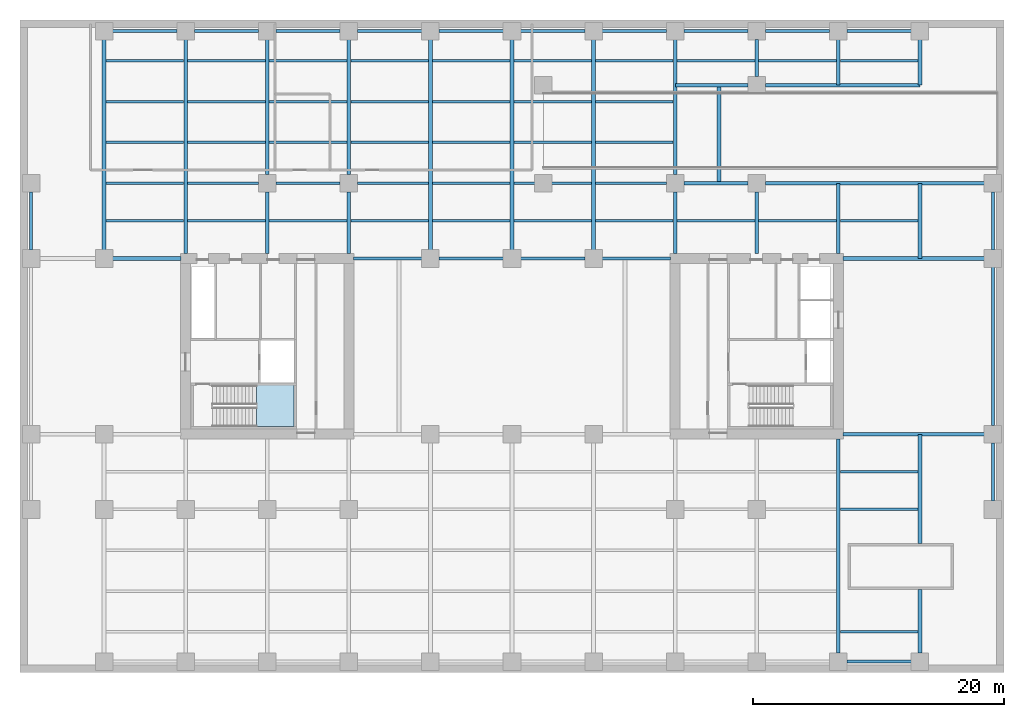
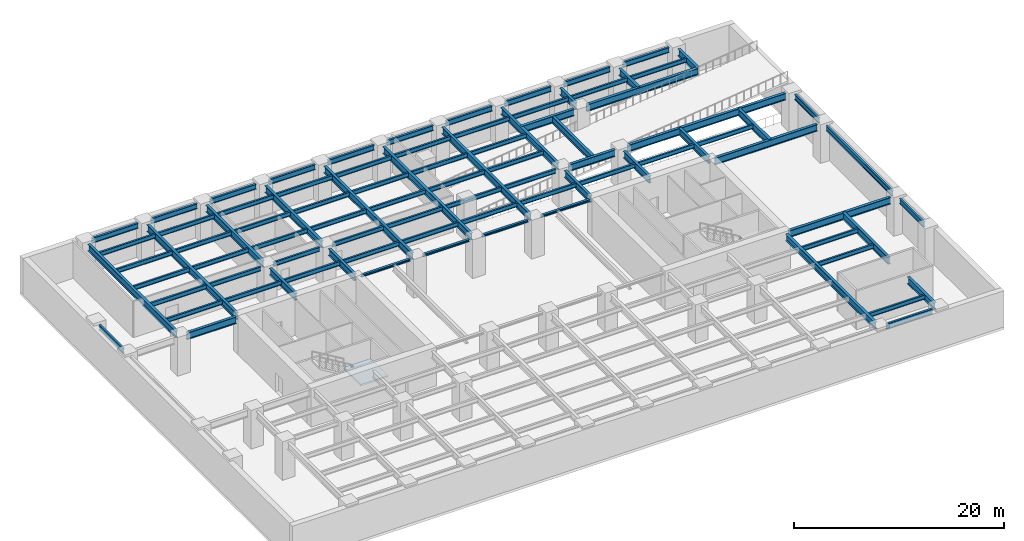
# One storey, part 2 of 10: 91 beams, 1 slab, 1 element without a shape of its own.
"""IFC4 building model written with IfcOpenShell, lengths in metres."""

from ifc_helpers import new_model, si_unit, direction, frame, origin, origin_2d, place, context, subcontext, project, spatial, polyline, i_section, outline, extrude, material, layer, layer_set, material_profile, profile_set, type_object, element, aggregate, save


model = new_model("IFC4")

# Units and contexts
model_context = context("Model", 3, precision=1e-05, world=origin(), true_north=direction((0.0, 1.0)))
body_context = subcontext(model_context, "Body", "Model", "MODEL_VIEW")
ifc_project = project(units=[si_unit("LENGTHUNIT", "METRE"), si_unit("AREAUNIT", "SQUARE_METRE"), si_unit("VOLUMEUNIT", "CUBIC_METRE"), si_unit("PLANEANGLEUNIT", "RADIAN"), si_unit("MASSUNIT", "GRAM", prefix="KILO")], contexts=[model_context])

# Site, building, storey
site_placement = place(None, origin())
site = spatial("IfcSite", under=ifc_project, at=site_placement, CompositionType="ELEMENT")
building_placement = place(site_placement, origin())
building = spatial("IfcBuilding", under=site, at=building_placement, Name="Putna Gate Headquarters", CompositionType="ELEMENT")
storey_placement = place(building_placement, frame((0.0, 0.0, -4.5)))
storey = spatial("IfcBuildingStorey", under=building, at=storey_placement, Name="B01", CompositionType="ELEMENT", Elevation=-4.5)

# Beams
ifc_material_1 = material(Name="Steel S355J2", Category="steel")
ifc_material_profile_1 = material_profile(ifc_material_1, i_section(OverallWidth=0.260009765625, OverallDepth=0.260009765625, WebThickness=0.010009765625, FlangeThickness=0.017578125, at=origin_2d()), Name="Steel S355J2")
ifc_profile_set_1 = profile_set([ifc_material_profile_1], Name="Steel S355J2")
beam_type_1 = type_object("IfcBeamType", Name="BM-ATRIUM-HEB260", PredefinedType="BEAM", material=ifc_profile_set_1)
beam_1_placement = place(storey_placement, frame((26.385009765625, 33.0, 4.090087890625), z_axis=(1.0, 0.0, 0.0), x_axis=(0.0, 1.0, 0.0)))
element("IfcBeam", 1, at=beam_1_placement, inside=storey, type_object=beam_type_1, Name="B01 Atrium Edge Beam AN1", PredefinedType="BEAM", context=body_context, shape_type="SweptSolid", body=[
    extrude(i_section(OverallWidth=0.260009765625, OverallDepth=0.260009765625, WebThickness=0.010009765625, FlangeThickness=0.017578125, at=origin_2d()), origin(), (0.0, 0.0, 1.0), 5.427001953125),
])
for number, where, z_axis, x_axis, name in (
    (2, (33.18798828125, 33.0, 4.090087890625), (1.0, 0.0, 0.0), (0.0, 1.0, 0.0), "B01 Atrium Edge Beam AN2"),
    (3, (39.68798828125, 33.0, 4.090087890625), (1.0, 0.0, 0.0), (0.0, 1.0, 0.0), "B01 Atrium Edge Beam AN3"),
):
    element("IfcBeam", number, at=place(storey_placement, frame(where, z_axis=z_axis, x_axis=x_axis)), inside=storey, type_object=beam_type_1, Name=name, PredefinedType="BEAM", context=body_context, shape_type="SweptSolid", body=[
        extrude(i_section(OverallWidth=0.260009765625, OverallDepth=0.260009765625, WebThickness=0.010009765625, FlangeThickness=0.017578125, at=origin_2d()), origin(), (0.0, 0.0, 1.0), 5.1240234375),
    ])
beam_2_placement = place(storey_placement, frame((46.18798828125, 33.0, 4.090087890625), z_axis=(1.0, 0.0, 0.0), x_axis=(0.0, 1.0, 0.0)))
element("IfcBeam", 4, at=beam_2_placement, inside=storey, type_object=beam_type_1, Name="B01 Atrium Edge Beam AN4", PredefinedType="BEAM", context=body_context, shape_type="SweptSolid", body=[
    extrude(i_section(OverallWidth=0.260009765625, OverallDepth=0.260009765625, WebThickness=0.010009765625, FlangeThickness=0.017578125, at=origin_2d()), origin(), (0.0, 0.0, 1.0), 5.427001953125),
])
ifc_material_profile_2 = material_profile(ifc_material_1, i_section(OverallWidth=0.300048828125, OverallDepth=0.800048828125, WebThickness=0.017578125, FlangeThickness=0.032958984375, at=origin_2d()), Name="Steel S355J2")
ifc_profile_set_2 = profile_set([ifc_material_profile_2], Name="Steel S355J2")
beam_type_2 = type_object("IfcBeamType", Name="BM-GIRD-P-HEB800", PredefinedType="USERDEFINED", material=ifc_profile_set_2)
beam_3_placement = place(storey_placement, frame((65.385009765625, 19.0, 3.820068359375), z_axis=(1.0, 0.0, 0.0), x_axis=(0.0, 1.0, 0.0)))
element("IfcBeam", 5, at=beam_3_placement, inside=storey, type_object=beam_type_2, Name="B01 East Wing Girder Y19", ObjectType="GIRDER", PredefinedType="USERDEFINED", context=body_context, shape_type="SweptSolid", body=[
    extrude(i_section(OverallWidth=0.300048828125, OverallDepth=0.800048828125, WebThickness=0.017578125, FlangeThickness=0.032958984375, at=origin_2d()), origin(), (0.0, 0.0, 1.0), 11.2470703125),
])
beam_4_placement = place(storey_placement, frame((7.18798828125, 33.0, 3.820068359375), z_axis=(1.0, 0.0, 0.0), x_axis=(0.0, 1.0, 0.0)))
element("IfcBeam", 6, at=beam_4_placement, inside=storey, type_object=beam_type_2, Name="B01 West Wing Girder Y33-2", ObjectType="GIRDER", PredefinedType="USERDEFINED", context=body_context, shape_type="SweptSolid", body=[
    extrude(i_section(OverallWidth=0.300048828125, OverallDepth=0.800048828125, WebThickness=0.017578125, FlangeThickness=0.032958984375, at=origin_2d()), origin(), (0.0, 0.0, 1.0), 5.427001953125),
])
beam_5_placement = place(storey_placement, frame((65.385009765625, 33.0, 3.820068359375), z_axis=(1.0, 0.0, 0.0), x_axis=(0.0, 1.0, 0.0)))
element("IfcBeam", 7, at=beam_5_placement, inside=storey, type_object=beam_type_2, Name="B01 East Wing Girder Y33", ObjectType="GIRDER", PredefinedType="USERDEFINED", context=body_context, shape_type="SweptSolid", body=[
    extrude(i_section(OverallWidth=0.300048828125, OverallDepth=0.800048828125, WebThickness=0.017578125, FlangeThickness=0.032958984375, at=origin_2d()), origin(), (0.0, 0.0, 1.0), 11.2470703125),
])
beam_6_placement = place(storey_placement, frame((52.68798828125, 39.0, 3.820068359375), z_axis=(1.0, 0.0, 0.0), x_axis=(0.0, 1.0, 0.0)))
element("IfcBeam", 8, at=beam_6_placement, inside=storey, type_object=beam_type_2, Name="B01 L00 Ramp Trimmer Girder S1", ObjectType="GIRDER", PredefinedType="USERDEFINED", context=body_context, shape_type="SweptSolid", body=[
    extrude(i_section(OverallWidth=0.300048828125, OverallDepth=0.800048828125, WebThickness=0.017578125, FlangeThickness=0.032958984375, at=origin_2d()), origin(), (0.0, 0.0, 1.0), 5.1240234375),
])
beam_7_placement = place(storey_placement, frame((59.18798828125, 39.0, 3.820068359375), z_axis=(1.0, 0.0, 0.0), x_axis=(0.0, 1.0, 0.0)))
element("IfcBeam", 9, at=beam_7_placement, inside=storey, type_object=beam_type_2, Name="B01 L00 Ramp Trimmer Girder S2", ObjectType="GIRDER", PredefinedType="USERDEFINED", context=body_context, shape_type="SweptSolid", body=[
    extrude(i_section(OverallWidth=0.300048828125, OverallDepth=0.800048828125, WebThickness=0.017578125, FlangeThickness=0.032958984375, at=origin_2d()), origin(), (0.0, 0.0, 1.0), 17.444091796875),
])
beam_8_placement = place(storey_placement, frame((52.011962890625, 46.800048828125, 3.820068359375), z_axis=(1.0, 0.0, 0.0), x_axis=(0.0, 1.0, 0.0)))
element("IfcBeam", 10, at=beam_8_placement, inside=storey, type_object=beam_type_2, Name="B01 L00 Ramp Trimmer Girder N1", ObjectType="GIRDER", PredefinedType="USERDEFINED", context=body_context, shape_type="SweptSolid", body=[
    extrude(i_section(OverallWidth=0.300048828125, OverallDepth=0.800048828125, WebThickness=0.017578125, FlangeThickness=0.032958984375, at=origin_2d()), origin(), (0.0, 0.0, 1.0), 5.800048828125),
])
beam_9_placement = place(storey_placement, frame((59.18798828125, 46.800048828125, 3.820068359375), z_axis=(1.0, 0.0, 0.0), x_axis=(0.0, 1.0, 0.0)))
element("IfcBeam", 11, at=beam_9_placement, inside=storey, type_object=beam_type_2, Name="B01 L00 Ramp Trimmer Girder N2", ObjectType="GIRDER", PredefinedType="USERDEFINED", context=body_context, shape_type="SweptSolid", body=[
    extrude(i_section(OverallWidth=0.300048828125, OverallDepth=0.800048828125, WebThickness=0.017578125, FlangeThickness=0.032958984375, at=origin_2d()), origin(), (0.0, 0.0, 1.0), 12.300048828125),
])
beam_10_placement = place(storey_placement, frame((55.5, 39.011962890625, 3.820068359375), z_axis=(0.0, 1.0, 0.0), x_axis=(-1.0, 0.0, 0.0)))
element("IfcBeam", 12, at=beam_10_placement, inside=storey, type_object=beam_type_2, Name="B01 L00 Ramp Trimmer Girder W55", ObjectType="GIRDER", PredefinedType="USERDEFINED", context=body_context, shape_type="SweptSolid", body=[
    extrude(i_section(OverallWidth=0.300048828125, OverallDepth=0.800048828125, WebThickness=0.017578125, FlangeThickness=0.032958984375, at=origin_2d()), origin(), (0.0, 0.0, 1.0), 7.776123046875),
])
beam_11_placement = place(storey_placement, frame((6.5, 33.68798828125, 3.820068359375), z_axis=(0.0, 1.0, 0.0), x_axis=(-1.0, 0.0, 0.0)))
element("IfcBeam", 13, at=beam_11_placement, inside=storey, type_object=beam_type_2, Name="B01 North Primary Girder X6", ObjectType="GIRDER", PredefinedType="USERDEFINED", context=body_context, shape_type="SweptSolid", body=[
    extrude(i_section(OverallWidth=0.300048828125, OverallDepth=0.800048828125, WebThickness=0.017578125, FlangeThickness=0.032958984375, at=origin_2d()), origin(), (0.0, 0.0, 1.0), 16.743896484375),
])
beam_12_placement = place(storey_placement, frame((13.0, 33.385009765625, 3.820068359375), z_axis=(0.0, 1.0, 0.0), x_axis=(-1.0, 0.0, 0.0)))
element("IfcBeam", 14, at=beam_12_placement, inside=storey, type_object=beam_type_2, Name="B01 North Primary Girder X13", ObjectType="GIRDER", PredefinedType="USERDEFINED", context=body_context, shape_type="SweptSolid", body=[
    extrude(i_section(OverallWidth=0.300048828125, OverallDepth=0.800048828125, WebThickness=0.017578125, FlangeThickness=0.032958984375, at=origin_2d()), origin(), (0.0, 0.0, 1.0), 17.046875),
])
beam_13_placement = place(storey_placement, frame((19.5, 33.385009765625, 3.820068359375), z_axis=(0.0, 1.0, 0.0), x_axis=(-1.0, 0.0, 0.0)))
element("IfcBeam", 15, at=beam_13_placement, inside=storey, type_object=beam_type_2, Name="B01 North Primary Girder X19-1", ObjectType="GIRDER", PredefinedType="USERDEFINED", context=body_context, shape_type="SweptSolid", body=[
    extrude(i_section(OverallWidth=0.300048828125, OverallDepth=0.800048828125, WebThickness=0.017578125, FlangeThickness=0.032958984375, at=origin_2d()), origin(), (0.0, 0.0, 1.0), 4.927001953125),
])
beam_14_placement = place(storey_placement, frame((19.5, 39.68798828125, 3.820068359375), z_axis=(0.0, 1.0, 0.0), x_axis=(-1.0, 0.0, 0.0)))
element("IfcBeam", 16, at=beam_14_placement, inside=storey, type_object=beam_type_2, Name="B01 North Primary Girder X19-2", ObjectType="GIRDER", PredefinedType="USERDEFINED", context=body_context, shape_type="SweptSolid", body=[
    extrude(i_section(OverallWidth=0.300048828125, OverallDepth=0.800048828125, WebThickness=0.017578125, FlangeThickness=0.032958984375, at=origin_2d()), origin(), (0.0, 0.0, 1.0), 10.743896484375),
])
beam_15_placement = place(storey_placement, frame((26.0, 33.385009765625, 3.820068359375), z_axis=(0.0, 1.0, 0.0), x_axis=(-1.0, 0.0, 0.0)))
element("IfcBeam", 17, at=beam_15_placement, inside=storey, type_object=beam_type_2, Name="B01 North Primary Girder X26-1", ObjectType="GIRDER", PredefinedType="USERDEFINED", context=body_context, shape_type="SweptSolid", body=[
    extrude(i_section(OverallWidth=0.300048828125, OverallDepth=0.800048828125, WebThickness=0.017578125, FlangeThickness=0.032958984375, at=origin_2d()), origin(), (0.0, 0.0, 1.0), 4.927001953125),
])
beam_16_placement = place(storey_placement, frame((26.0, 39.68798828125, 3.820068359375), z_axis=(0.0, 1.0, 0.0), x_axis=(-1.0, 0.0, 0.0)))
element("IfcBeam", 18, at=beam_16_placement, inside=storey, type_object=beam_type_2, Name="B01 North Primary Girder X26-2", ObjectType="GIRDER", PredefinedType="USERDEFINED", context=body_context, shape_type="SweptSolid", body=[
    extrude(i_section(OverallWidth=0.300048828125, OverallDepth=0.800048828125, WebThickness=0.017578125, FlangeThickness=0.032958984375, at=origin_2d()), origin(), (0.0, 0.0, 1.0), 10.743896484375),
])
for number, where, z_axis, x_axis, name in (
    (19, (32.5, 33.68798828125, 3.820068359375), (0.0, 1.0, 0.0), (-1.0, 0.0, 0.0), "B01 North Primary Girder X32"),
    (20, (39.0, 33.68798828125, 3.820068359375), (0.0, 1.0, 0.0), (-1.0, 0.0, 0.0), "B01 North Primary Girder X39"),
    (21, (45.5, 33.68798828125, 3.820068359375), (0.0, 1.0, 0.0), (-1.0, 0.0, 0.0), "B01 North Primary Girder X45"),
):
    element("IfcBeam", number, at=place(storey_placement, frame(where, z_axis=z_axis, x_axis=x_axis)), inside=storey, type_object=beam_type_2, Name=name, ObjectType="GIRDER", PredefinedType="USERDEFINED", context=body_context, shape_type="SweptSolid", body=[
        extrude(i_section(OverallWidth=0.300048828125, OverallDepth=0.800048828125, WebThickness=0.017578125, FlangeThickness=0.032958984375, at=origin_2d()), origin(), (0.0, 0.0, 1.0), 16.743896484375),
    ])
beam_17_placement = place(storey_placement, frame((52.0, 33.385009765625, 3.820068359375), z_axis=(0.0, 1.0, 0.0), x_axis=(-1.0, 0.0, 0.0)))
element("IfcBeam", 22, at=beam_17_placement, inside=storey, type_object=beam_type_2, Name="B01 North Primary Girder X52-1", ObjectType="GIRDER", PredefinedType="USERDEFINED", context=body_context, shape_type="SweptSolid", body=[
    extrude(i_section(OverallWidth=0.300048828125, OverallDepth=0.800048828125, WebThickness=0.017578125, FlangeThickness=0.032958984375, at=origin_2d()), origin(), (0.0, 0.0, 1.0), 4.927001953125),
])
beam_18_placement = place(storey_placement, frame((52.0, 39.68798828125, 3.820068359375), z_axis=(0.0, 1.0, 0.0), x_axis=(-1.0, 0.0, 0.0)))
element("IfcBeam", 23, at=beam_18_placement, inside=storey, type_object=beam_type_2, Name="B01 North Primary Girder X52-2", ObjectType="GIRDER", PredefinedType="USERDEFINED", context=body_context, shape_type="SweptSolid", body=[
    extrude(i_section(OverallWidth=0.300048828125, OverallDepth=0.800048828125, WebThickness=0.017578125, FlangeThickness=0.032958984375, at=origin_2d()), origin(), (0.0, 0.0, 1.0), 10.743896484375),
])
beam_19_placement = place(storey_placement, frame((58.5, 33.385009765625, 3.820068359375), z_axis=(0.0, 1.0, 0.0), x_axis=(-1.0, 0.0, 0.0)))
element("IfcBeam", 24, at=beam_19_placement, inside=storey, type_object=beam_type_2, Name="B01 North Girder X58-1", ObjectType="GIRDER", PredefinedType="USERDEFINED", context=body_context, shape_type="SweptSolid", body=[
    extrude(i_section(OverallWidth=0.300048828125, OverallDepth=0.800048828125, WebThickness=0.017578125, FlangeThickness=0.032958984375, at=origin_2d()), origin(), (0.0, 0.0, 1.0), 4.927001953125),
])
beam_20_placement = place(storey_placement, frame((58.5, 47.488037109375, 3.820068359375), z_axis=(0.0, 1.0, 0.0), x_axis=(-1.0, 0.0, 0.0)))
element("IfcBeam", 25, at=beam_20_placement, inside=storey, type_object=beam_type_2, Name="B01 North Ramp Edge Girder X58", ObjectType="GIRDER", PredefinedType="USERDEFINED", context=body_context, shape_type="SweptSolid", body=[
    extrude(i_section(OverallWidth=0.300048828125, OverallDepth=0.800048828125, WebThickness=0.017578125, FlangeThickness=0.032958984375, at=origin_2d()), origin(), (0.0, 0.0, 1.0), 2.94384765625),
])
beam_21_placement = place(storey_placement, frame((65.0, 1.568115234375, 3.820068359375), z_axis=(0.0, 1.0, 0.0), x_axis=(-1.0, 0.0, 0.0)))
element("IfcBeam", 26, at=beam_21_placement, inside=storey, type_object=beam_type_2, Name="B01 South Primary Girder X65", ObjectType="GIRDER", PredefinedType="USERDEFINED", context=body_context, shape_type="SweptSolid", body=[
    extrude(i_section(OverallWidth=0.300048828125, OverallDepth=0.800048828125, WebThickness=0.017578125, FlangeThickness=0.032958984375, at=origin_2d()), origin(), (0.0, 0.0, 1.0), 17.046875),
])
beam_22_placement = place(storey_placement, frame((65.0, 33.385009765625, 3.820068359375), z_axis=(0.0, 1.0, 0.0), x_axis=(-1.0, 0.0, 0.0)))
element("IfcBeam", 27, at=beam_22_placement, inside=storey, type_object=beam_type_2, Name="B01 North Girder X65-1", ObjectType="GIRDER", PredefinedType="USERDEFINED", context=body_context, shape_type="SweptSolid", body=[
    extrude(i_section(OverallWidth=0.300048828125, OverallDepth=0.800048828125, WebThickness=0.017578125, FlangeThickness=0.032958984375, at=origin_2d()), origin(), (0.0, 0.0, 1.0), 5.60302734375),
])
beam_23_placement = place(storey_placement, frame((65.0, 46.81201171875, 3.820068359375), z_axis=(0.0, 1.0, 0.0), x_axis=(-1.0, 0.0, 0.0)))
element("IfcBeam", 28, at=beam_23_placement, inside=storey, type_object=beam_type_2, Name="B01 North Ramp Edge Girder X65", ObjectType="GIRDER", PredefinedType="USERDEFINED", context=body_context, shape_type="SweptSolid", body=[
    extrude(i_section(OverallWidth=0.300048828125, OverallDepth=0.800048828125, WebThickness=0.017578125, FlangeThickness=0.032958984375, at=origin_2d()), origin(), (0.0, 0.0, 1.0), 3.619873046875),
])
beam_24_placement = place(storey_placement, frame((71.5, 1.568115234375, 3.820068359375), z_axis=(0.0, 1.0, 0.0), x_axis=(-1.0, 0.0, 0.0)))
element("IfcBeam", 29, at=beam_24_placement, inside=storey, type_object=beam_type_2, Name="B01 South Girder X71-A", ObjectType="GIRDER", PredefinedType="USERDEFINED", context=body_context, shape_type="SweptSolid", body=[
    extrude(i_section(OverallWidth=0.300048828125, OverallDepth=0.800048828125, WebThickness=0.017578125, FlangeThickness=0.032958984375, at=origin_2d()), origin(), (0.0, 0.0, 1.0), 5.056884765625),
])
beam_25_placement = place(storey_placement, frame((71.5, 10.27490234375, 3.820068359375), z_axis=(0.0, 1.0, 0.0), x_axis=(-1.0, 0.0, 0.0)))
element("IfcBeam", 30, at=beam_25_placement, inside=storey, type_object=beam_type_2, Name="B01 South Girder X71-B", ObjectType="GIRDER", PredefinedType="USERDEFINED", context=body_context, shape_type="SweptSolid", body=[
    extrude(i_section(OverallWidth=0.300048828125, OverallDepth=0.800048828125, WebThickness=0.017578125, FlangeThickness=0.032958984375, at=origin_2d()), origin(), (0.0, 0.0, 1.0), 8.713134765625),
])
beam_26_placement = place(storey_placement, frame((71.5, 33.011962890625, 3.820068359375), z_axis=(0.0, 1.0, 0.0), x_axis=(-1.0, 0.0, 0.0)))
element("IfcBeam", 31, at=beam_26_placement, inside=storey, type_object=beam_type_2, Name="B01 North Girder X71-1", ObjectType="GIRDER", PredefinedType="USERDEFINED", context=body_context, shape_type="SweptSolid", body=[
    extrude(i_section(OverallWidth=0.300048828125, OverallDepth=0.800048828125, WebThickness=0.017578125, FlangeThickness=0.032958984375, at=origin_2d()), origin(), (0.0, 0.0, 1.0), 5.97607421875),
])
beam_27_placement = place(storey_placement, frame((71.5, 46.81201171875, 3.820068359375), z_axis=(0.0, 1.0, 0.0), x_axis=(-1.0, 0.0, 0.0)))
element("IfcBeam", 32, at=beam_27_placement, inside=storey, type_object=beam_type_2, Name="B01 North Ramp Edge Girder X71", ObjectType="GIRDER", PredefinedType="USERDEFINED", context=body_context, shape_type="SweptSolid", body=[
    extrude(i_section(OverallWidth=0.300048828125, OverallDepth=0.800048828125, WebThickness=0.017578125, FlangeThickness=0.032958984375, at=origin_2d()), origin(), (0.0, 0.0, 1.0), 3.619873046875),
])
ifc_material_profile_3 = material_profile(ifc_material_1, i_section(OverallWidth=0.199951171875, OverallDepth=0.5, WebThickness=0.01025390625, FlangeThickness=0.01611328125, at=origin_2d()), Name="Steel S355J2")
ifc_profile_set_3 = profile_set([ifc_material_profile_3], Name="Steel S355J2")
beam_type_3 = type_object("IfcBeamType", Name="BM-SEC-P-IPE500", PredefinedType="BEAM", material=ifc_profile_set_3)
for number, where, z_axis, x_axis, name in (
    (33, (6.654052734375, 36.0, 3.969970703125), (1.0, 0.0, 0.0), (0.0, 1.0, 0.0), "B01 North Secondary Beam 1"),
    (34, (6.654052734375, 39.0, 3.969970703125), (1.0, 0.0, 0.0), (0.0, 1.0, 0.0), "B01 North Secondary Beam 1"),
    (35, (6.654052734375, 42.25, 3.969970703125), (1.0, 0.0, 0.0), (0.0, 1.0, 0.0), "B01 North Secondary Beam 1"),
    (36, (6.654052734375, 45.5, 3.969970703125), (1.0, 0.0, 0.0), (0.0, 1.0, 0.0), "B01 North Secondary Beam 1"),
    (37, (6.654052734375, 48.75, 3.969970703125), (1.0, 0.0, 0.0), (0.0, 1.0, 0.0), "B01 North Secondary Beam 1"),
    (38, (13.154052734375, 36.0, 3.969970703125), (1.0, 0.0, 0.0), (0.0, 1.0, 0.0), "B01 North Secondary Beam 2"),
):
    element("IfcBeam", number, at=place(storey_placement, frame(where, z_axis=z_axis, x_axis=x_axis)), inside=storey, type_object=beam_type_3, Name=name, PredefinedType="BEAM", context=body_context, shape_type="SweptSolid", body=[
        extrude(i_section(OverallWidth=0.199951171875, OverallDepth=0.5, WebThickness=0.01025390625, FlangeThickness=0.01611328125, at=origin_2d()), origin(), (0.0, 0.0, 1.0), 6.19189453125),
    ])
beam_28_placement = place(storey_placement, frame((13.154052734375, 39.0, 3.969970703125), z_axis=(1.0, 0.0, 0.0), x_axis=(0.0, 1.0, 0.0)))
element("IfcBeam", 39, at=beam_28_placement, inside=storey, type_object=beam_type_3, Name="B01 North Secondary Beam 2", PredefinedType="BEAM", context=body_context, shape_type="SweptSolid", body=[
    extrude(i_section(OverallWidth=0.199951171875, OverallDepth=0.5, WebThickness=0.01025390625, FlangeThickness=0.01611328125, at=origin_2d()), origin(), (0.0, 0.0, 1.0), 5.657958984375),
])
for number, where, z_axis, x_axis, name in (
    (40, (13.154052734375, 42.25, 3.969970703125), (1.0, 0.0, 0.0), (0.0, 1.0, 0.0), "B01 North Secondary Beam 2"),
    (41, (13.154052734375, 45.5, 3.969970703125), (1.0, 0.0, 0.0), (0.0, 1.0, 0.0), "B01 North Secondary Beam 2"),
    (42, (13.154052734375, 48.75, 3.969970703125), (1.0, 0.0, 0.0), (0.0, 1.0, 0.0), "B01 North Secondary Beam 2"),
    (43, (19.654052734375, 36.0, 3.969970703125), (1.0, 0.0, 0.0), (0.0, 1.0, 0.0), "B01 North Secondary Beam 3"),
):
    element("IfcBeam", number, at=place(storey_placement, frame(where, z_axis=z_axis, x_axis=x_axis)), inside=storey, type_object=beam_type_3, Name=name, PredefinedType="BEAM", context=body_context, shape_type="SweptSolid", body=[
        extrude(i_section(OverallWidth=0.199951171875, OverallDepth=0.5, WebThickness=0.01025390625, FlangeThickness=0.01611328125, at=origin_2d()), origin(), (0.0, 0.0, 1.0), 6.19189453125),
    ])
beam_29_placement = place(storey_placement, frame((20.18798828125, 39.0, 3.969970703125), z_axis=(1.0, 0.0, 0.0), x_axis=(0.0, 1.0, 0.0)))
element("IfcBeam", 44, at=beam_29_placement, inside=storey, type_object=beam_type_3, Name="B01 North Secondary Beam 3", PredefinedType="BEAM", context=body_context, shape_type="SweptSolid", body=[
    extrude(i_section(OverallWidth=0.199951171875, OverallDepth=0.5, WebThickness=0.01025390625, FlangeThickness=0.01611328125, at=origin_2d()), origin(), (0.0, 0.0, 1.0), 5.1240234375),
])
for number, where, z_axis, x_axis, name in (
    (45, (19.654052734375, 42.25, 3.969970703125), (1.0, 0.0, 0.0), (0.0, 1.0, 0.0), "B01 North Secondary Beam 3"),
    (46, (19.654052734375, 45.5, 3.969970703125), (1.0, 0.0, 0.0), (0.0, 1.0, 0.0), "B01 North Secondary Beam 3"),
    (47, (19.654052734375, 48.75, 3.969970703125), (1.0, 0.0, 0.0), (0.0, 1.0, 0.0), "B01 North Secondary Beam 3"),
    (48, (26.154052734375, 36.0, 3.969970703125), (1.0, 0.0, 0.0), (0.0, 1.0, 0.0), "B01 North Secondary Beam 4"),
):
    element("IfcBeam", number, at=place(storey_placement, frame(where, z_axis=z_axis, x_axis=x_axis)), inside=storey, type_object=beam_type_3, Name=name, PredefinedType="BEAM", context=body_context, shape_type="SweptSolid", body=[
        extrude(i_section(OverallWidth=0.199951171875, OverallDepth=0.5, WebThickness=0.01025390625, FlangeThickness=0.01611328125, at=origin_2d()), origin(), (0.0, 0.0, 1.0), 6.19189453125),
    ])
beam_30_placement = place(storey_placement, frame((26.68798828125, 39.0, 3.969970703125), z_axis=(1.0, 0.0, 0.0), x_axis=(0.0, 1.0, 0.0)))
element("IfcBeam", 49, at=beam_30_placement, inside=storey, type_object=beam_type_3, Name="B01 North Secondary Beam 4", PredefinedType="BEAM", context=body_context, shape_type="SweptSolid", body=[
    extrude(i_section(OverallWidth=0.199951171875, OverallDepth=0.5, WebThickness=0.01025390625, FlangeThickness=0.01611328125, at=origin_2d()), origin(), (0.0, 0.0, 1.0), 5.657958984375),
])
for number, where, z_axis, x_axis, name in (
    (50, (26.154052734375, 42.25, 3.969970703125), (1.0, 0.0, 0.0), (0.0, 1.0, 0.0), "B01 North Secondary Beam 4"),
    (51, (26.154052734375, 45.5, 3.969970703125), (1.0, 0.0, 0.0), (0.0, 1.0, 0.0), "B01 North Secondary Beam 4"),
    (52, (26.154052734375, 48.75, 3.969970703125), (1.0, 0.0, 0.0), (0.0, 1.0, 0.0), "B01 North Secondary Beam 4"),
    (53, (32.654052734375, 36.0, 3.969970703125), (1.0, 0.0, 0.0), (0.0, 1.0, 0.0), "B01 North Secondary Beam 5"),
    (54, (32.654052734375, 39.0, 3.969970703125), (1.0, 0.0, 0.0), (0.0, 1.0, 0.0), "B01 North Secondary Beam 5"),
    (55, (32.654052734375, 42.25, 3.969970703125), (1.0, 0.0, 0.0), (0.0, 1.0, 0.0), "B01 North Secondary Beam 5"),
    (56, (32.654052734375, 45.5, 3.969970703125), (1.0, 0.0, 0.0), (0.0, 1.0, 0.0), "B01 North Secondary Beam 5"),
    (57, (32.654052734375, 48.75, 3.969970703125), (1.0, 0.0, 0.0), (0.0, 1.0, 0.0), "B01 North Secondary Beam 5"),
    (58, (39.154052734375, 36.0, 3.969970703125), (1.0, 0.0, 0.0), (0.0, 1.0, 0.0), "B01 North Secondary Beam 6"),
    (59, (39.154052734375, 39.0, 3.969970703125), (1.0, 0.0, 0.0), (0.0, 1.0, 0.0), "B01 North Secondary Beam 6"),
    (60, (39.154052734375, 42.25, 3.969970703125), (1.0, 0.0, 0.0), (0.0, 1.0, 0.0), "B01 North Secondary Beam 6"),
    (61, (39.154052734375, 45.5, 3.969970703125), (1.0, 0.0, 0.0), (0.0, 1.0, 0.0), "B01 North Secondary Beam 6"),
    (62, (39.154052734375, 48.75, 3.969970703125), (1.0, 0.0, 0.0), (0.0, 1.0, 0.0), "B01 North Secondary Beam 6"),
    (63, (45.654052734375, 36.0, 3.969970703125), (1.0, 0.0, 0.0), (0.0, 1.0, 0.0), "B01 North Secondary Beam 7"),
):
    element("IfcBeam", number, at=place(storey_placement, frame(where, z_axis=z_axis, x_axis=x_axis)), inside=storey, type_object=beam_type_3, Name=name, PredefinedType="BEAM", context=body_context, shape_type="SweptSolid", body=[
        extrude(i_section(OverallWidth=0.199951171875, OverallDepth=0.5, WebThickness=0.01025390625, FlangeThickness=0.01611328125, at=origin_2d()), origin(), (0.0, 0.0, 1.0), 6.19189453125),
    ])
beam_31_placement = place(storey_placement, frame((45.654052734375, 39.0, 3.969970703125), z_axis=(1.0, 0.0, 0.0), x_axis=(0.0, 1.0, 0.0)))
element("IfcBeam", 64, at=beam_31_placement, inside=storey, type_object=beam_type_3, Name="B01 North Secondary Beam 7", PredefinedType="BEAM", context=body_context, shape_type="SweptSolid", body=[
    extrude(i_section(OverallWidth=0.199951171875, OverallDepth=0.5, WebThickness=0.01025390625, FlangeThickness=0.01611328125, at=origin_2d()), origin(), (0.0, 0.0, 1.0), 5.657958984375),
])
for number, where, z_axis, x_axis, name in (
    (65, (45.654052734375, 42.25, 3.969970703125), (1.0, 0.0, 0.0), (0.0, 1.0, 0.0), "B01 North Secondary Beam 7"),
    (66, (45.654052734375, 45.5, 3.969970703125), (1.0, 0.0, 0.0), (0.0, 1.0, 0.0), "B01 North Secondary Beam 7"),
    (67, (45.654052734375, 48.75, 3.969970703125), (1.0, 0.0, 0.0), (0.0, 1.0, 0.0), "B01 North Secondary Beam 7"),
    (68, (52.154052734375, 36.0, 3.969970703125), (1.0, 0.0, 0.0), (0.0, 1.0, 0.0), "B01 North Secondary Beam 8"),
    (69, (52.154052734375, 48.75, 3.969970703125), (1.0, 0.0, 0.0), (0.0, 1.0, 0.0), "B01 North Secondary Beam 8"),
    (70, (58.654052734375, 36.0, 3.969970703125), (1.0, 0.0, 0.0), (0.0, 1.0, 0.0), "B01 North Secondary Beam 9"),
    (71, (58.654052734375, 48.75, 3.969970703125), (1.0, 0.0, 0.0), (0.0, 1.0, 0.0), "B01 North Secondary Beam 9"),
    (72, (65.154052734375, 3.25, 3.969970703125), (1.0, 0.0, 0.0), (0.0, 1.0, 0.0), "B01 South Secondary Beam 10"),
    (73, (65.154052734375, 13.0, 3.969970703125), (1.0, 0.0, 0.0), (0.0, 1.0, 0.0), "B01 South Secondary Beam 10"),
    (74, (65.154052734375, 16.0, 3.969970703125), (1.0, 0.0, 0.0), (0.0, 1.0, 0.0), "B01 South Secondary Beam 10"),
    (75, (65.154052734375, 36.0, 3.969970703125), (1.0, 0.0, 0.0), (0.0, 1.0, 0.0), "B01 North Secondary Beam 10"),
    (76, (65.154052734375, 48.75, 3.969970703125), (1.0, 0.0, 0.0), (0.0, 1.0, 0.0), "B01 North Secondary Beam 10"),
):
    element("IfcBeam", number, at=place(storey_placement, frame(where, z_axis=z_axis, x_axis=x_axis)), inside=storey, type_object=beam_type_3, Name=name, PredefinedType="BEAM", context=body_context, shape_type="SweptSolid", body=[
        extrude(i_section(OverallWidth=0.199951171875, OverallDepth=0.5, WebThickness=0.01025390625, FlangeThickness=0.01611328125, at=origin_2d()), origin(), (0.0, 0.0, 1.0), 6.19189453125),
    ])
ifc_material_profile_4 = material_profile(ifc_material_1, i_section(OverallWidth=0.219970703125, OverallDepth=0.60009765625, WebThickness=0.011962890625, FlangeThickness=0.01904296875, at=origin_2d()), Name="Steel S355J2")
ifc_profile_set_4 = profile_set([ifc_material_profile_4], Name="Steel S355J2")
beam_type_4 = type_object("IfcBeamType", Name="BM-SPAN-P-IPE600", PredefinedType="SPANDREL", material=ifc_profile_set_4)
for number, where, z_axis, x_axis, name in (
    (77, (65.68798828125, 0.8798828125, 3.919921875), (1.0, 0.0, 0.0), (0.0, 1.0, 0.0), "B01 S Perimeter Spandrel 10"),
    (78, (7.18798828125, 51.1201171875, 3.919921875), (1.0, 0.0, 0.0), (0.0, 1.0, 0.0), "B01 N Perimeter Spandrel 1"),
    (79, (13.68798828125, 51.1201171875, 3.919921875), (1.0, 0.0, 0.0), (0.0, 1.0, 0.0), "B01 N Perimeter Spandrel 2"),
    (80, (20.18798828125, 51.1201171875, 3.919921875), (1.0, 0.0, 0.0), (0.0, 1.0, 0.0), "B01 N Perimeter Spandrel 3"),
    (81, (26.68798828125, 51.1201171875, 3.919921875), (1.0, 0.0, 0.0), (0.0, 1.0, 0.0), "B01 N Perimeter Spandrel 4"),
    (82, (33.18798828125, 51.1201171875, 3.919921875), (1.0, 0.0, 0.0), (0.0, 1.0, 0.0), "B01 N Perimeter Spandrel 5"),
    (83, (39.68798828125, 51.1201171875, 3.919921875), (1.0, 0.0, 0.0), (0.0, 1.0, 0.0), "B01 N Perimeter Spandrel 6"),
    (84, (46.18798828125, 51.1201171875, 3.919921875), (1.0, 0.0, 0.0), (0.0, 1.0, 0.0), "B01 N Perimeter Spandrel 7"),
    (85, (52.68798828125, 51.1201171875, 3.919921875), (1.0, 0.0, 0.0), (0.0, 1.0, 0.0), "B01 N Perimeter Spandrel 8"),
    (86, (59.18798828125, 51.1201171875, 3.919921875), (1.0, 0.0, 0.0), (0.0, 1.0, 0.0), "B01 N Perimeter Spandrel 9"),
    (87, (65.68798828125, 51.1201171875, 3.919921875), (1.0, 0.0, 0.0), (0.0, 1.0, 0.0), "B01 N Perimeter Spandrel 10"),
):
    element("IfcBeam", number, at=place(storey_placement, frame(where, z_axis=z_axis, x_axis=x_axis)), inside=storey, type_object=beam_type_4, Name=name, PredefinedType="SPANDREL", context=body_context, shape_type="SweptSolid", body=[
        extrude(i_section(OverallWidth=0.219970703125, OverallDepth=0.60009765625, WebThickness=0.011962890625, FlangeThickness=0.01904296875, at=origin_2d()), origin(), (0.0, 0.0, 1.0), 5.1240234375),
    ])
for number, where, z_axis, x_axis, name in (
    (88, (0.679931640625, 33.68798828125, 3.919921875), (0.0, 1.0, 0.0), (-1.0, 0.0, 0.0), "B01 W End Spandrel 3"),
    (89, (77.320068359375, 13.68798828125, 3.919921875), (0.0, 1.0, 0.0), (-1.0, 0.0, 0.0), "B01 E End Spandrel 1"),
):
    element("IfcBeam", number, at=place(storey_placement, frame(where, z_axis=z_axis, x_axis=x_axis)), inside=storey, type_object=beam_type_4, Name=name, PredefinedType="SPANDREL", context=body_context, shape_type="SweptSolid", body=[
        extrude(i_section(OverallWidth=0.219970703125, OverallDepth=0.60009765625, WebThickness=0.011962890625, FlangeThickness=0.01904296875, at=origin_2d()), origin(), (0.0, 0.0, 1.0), 4.6240234375),
    ])
beam_32_placement = place(storey_placement, frame((77.320068359375, 19.68798828125, 3.919921875), z_axis=(0.0, 1.0, 0.0), x_axis=(-1.0, 0.0, 0.0)))
element("IfcBeam", 90, at=beam_32_placement, inside=storey, type_object=beam_type_4, Name="B01 E End Spandrel 2", PredefinedType="SPANDREL", context=body_context, shape_type="SweptSolid", body=[
    extrude(i_section(OverallWidth=0.219970703125, OverallDepth=0.60009765625, WebThickness=0.011962890625, FlangeThickness=0.01904296875, at=origin_2d()), origin(), (0.0, 0.0, 1.0), 12.6240234375),
])
beam_33_placement = place(storey_placement, frame((77.320068359375, 33.68798828125, 3.919921875), z_axis=(0.0, 1.0, 0.0), x_axis=(-1.0, 0.0, 0.0)))
element("IfcBeam", 91, at=beam_33_placement, inside=storey, type_object=beam_type_4, Name="B01 E End Spandrel 3", PredefinedType="SPANDREL", context=body_context, shape_type="SweptSolid", body=[
    extrude(i_section(OverallWidth=0.219970703125, OverallDepth=0.60009765625, WebThickness=0.011962890625, FlangeThickness=0.01904296875, at=origin_2d()), origin(), (0.0, 0.0, 1.0), 4.6240234375),
])

# Stair, slab
ifc_material_2 = material(Name="Concrete C40/50", Category="concrete")
stair_type = type_object("IfcStairType", Name="STAIR-ST1", PredefinedType="HALF_TURN_STAIR", material=ifc_material_2)
stair_placement = place(storey_placement, origin())
stair = element("IfcStair", 92, at=stair_placement, inside=storey, type_object=stair_type, Name="B01 West Core Exit Stair ST1", PredefinedType="HALF_TURN_STAIR")
ifc_layer = layer(ifc_material_2, 0.199951171875)
ifc_layer_set = layer_set([ifc_layer], Name="Concrete C40/50")
slab_type = type_object("IfcSlabType", Name="LANDING-ST1", PredefinedType="LANDING", material=ifc_layer_set)
slab_placement = place(storey_placement, frame((0.0, 0.0, 2.050048828125)))
slab = element("IfcSlab", 93, at=slab_placement, type_object=slab_type, Name="ST1 landing 1", PredefinedType="LANDING", context=body_context, shape_type="SweptSolid", body=[
    extrude(outline(polyline([(18.6298828125, 19.60009765625), (21.64990234375, 19.60009765625), (21.64990234375, 22.89990234375), (18.6298828125, 22.89990234375), (18.6298828125, 19.60009765625)])), origin(), (0.0, 0.0, 1.0), 0.199951171875),
])
aggregate(stair, [slab])

save(model, "model.ifc")
